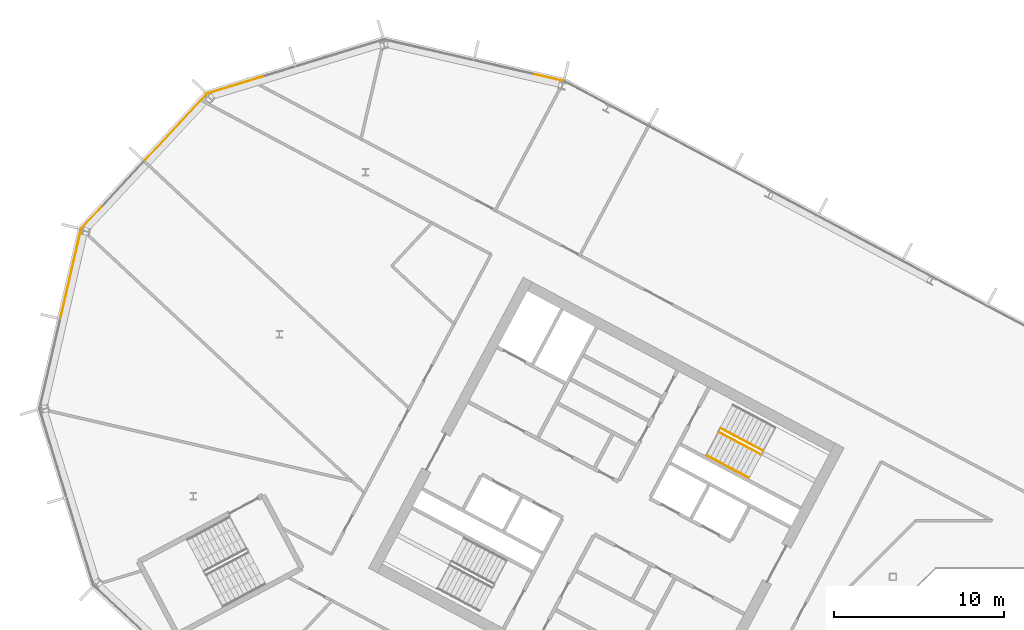
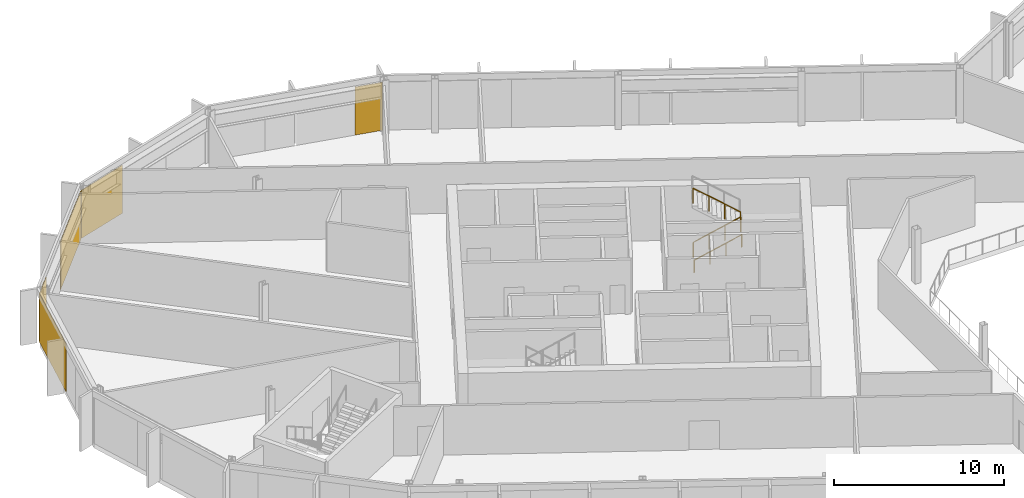
# One storey, part 21 of 26: 5 coverings, 3 railings, 4 elements without a shape of their own.
"""IFC4 building model written with IfcOpenShell, lengths in metres."""

from ifc_helpers import new_model, si_unit, direction, frame, origin, origin_2d, place, context, subcontext, project, spatial, polyline, rectangle, outline, extrude, material, layer, layer_set, type_object, element, aggregate, save


model = new_model("IFC4")

# Units and contexts
model_context = context("Model", 3, precision=1e-05, world=origin(), true_north=direction((0.0, 1.0)))
body_context = subcontext(model_context, "Body", "Model", "MODEL_VIEW")
ifc_project = project(units=[si_unit("LENGTHUNIT", "METRE"), si_unit("AREAUNIT", "SQUARE_METRE"), si_unit("VOLUMEUNIT", "CUBIC_METRE"), si_unit("PLANEANGLEUNIT", "RADIAN"), si_unit("MASSUNIT", "GRAM", prefix="KILO")], contexts=[model_context])

# Site, building, storey
site_placement = place(None, origin())
site = spatial("IfcSite", under=ifc_project, at=site_placement, CompositionType="ELEMENT")
building_placement = place(site_placement, origin())
building = spatial("IfcBuilding", under=site, at=building_placement, Name="Cormorant Relay Tower", CompositionType="ELEMENT")
storey_placement = place(building_placement, frame((0.0, 0.0, 197.39990234375)))
storey = spatial("IfcBuildingStorey", under=building, at=storey_placement, Name="L42", CompositionType="ELEMENT", Elevation=197.39990234375)

# Curtain wall, covering
ifc_material_1 = material(Name="Aluminium 6063-T6 anodised bronze", Category="aluminium")
ifc_layer_1 = layer(ifc_material_1, 0.199951171875)
ifc_layer_set_1 = layer_set([ifc_layer_1], Name="CW1 unitised bronze curtain wall with vertical fins")
curtain_wall_type = type_object("IfcCurtainWallType", Name="CW1 unitised bronze curtain wall with vertical fins", PredefinedType="NOTDEFINED", material=ifc_layer_set_1)
curtain_wall_1_placement = place(storey_placement, origin())
curtain_wall_1 = element("IfcCurtainWall", 1, at=curtain_wall_1_placement, inside=storey, type_object=curtain_wall_type, Name="CW1 curtain wall 10", PredefinedType="NOTDEFINED")
ifc_material_2 = material(Name="Pale bronze anodised aluminium insulated panel", Category="aluminium")
ifc_layer_2 = layer(ifc_material_2, 0.0400390625)
ifc_layer_set_2 = layer_set([ifc_layer_2], Name="CW1 pale bronze insulated panel 40")
covering_type = type_object("IfcCoveringType", Name="CW1 pale bronze insulated panel 40", PredefinedType="CLADDING", material=ifc_layer_set_2)
covering_1_placement = place(storey_placement, frame((-30.76318359375, 39.89404296875, 0.0), z_axis=(0.0, 0.0, 1.0), x_axis=(-0.974370064785, 0.224951054344, 0.0)))
covering_1 = element("IfcCovering", 2, at=covering_1_placement, type_object=covering_type, Name="CW1 panel S00", PredefinedType="CLADDING", context=body_context, shape_type="SweptSolid", body=[
    extrude(rectangle(XDim=1.685302734375, YDim=0.0400390625, at=origin_2d()), origin(), (0.0, 0.0, 1.0), 3.449951171875),
])
aggregate(curtain_wall_1, [covering_1])

curtain_wall_2_placement = place(storey_placement, origin())
curtain_wall_2 = element("IfcCurtainWall", 3, at=curtain_wall_2_placement, inside=storey, type_object=curtain_wall_type, Name="CW1 curtain wall 11", PredefinedType="NOTDEFINED")
covering_2_placement = place(storey_placement, frame((-49.16455078125, 39.474853515625, 0.0), z_axis=(0.0, 0.0, 1.0), x_axis=(-0.956304755963, -0.292371704723, 0.0)))
covering_2 = element("IfcCovering", 4, at=covering_2_placement, type_object=covering_type, Name="CW1 panel S03", PredefinedType="CLADDING", context=body_context, shape_type="SweptSolid", body=[
    extrude(rectangle(XDim=3.560302734375, YDim=0.0400390625, at=origin_2d()), origin(), (0.0, 0.0, 1.0), 3.449951171875),
])
aggregate(curtain_wall_2, [covering_2])

# Curtain wall, coverings
curtain_wall_3_placement = place(storey_placement, origin())
curtain_wall_3 = element("IfcCurtainWall", 5, at=curtain_wall_3_placement, inside=storey, type_object=curtain_wall_type, Name="CW1 curtain wall 12", PredefinedType="NOTDEFINED")
covering_3_placement = place(storey_placement, frame((-52.72900390625, 36.961181640625, 0.0), z_axis=(0.0, 0.0, 1.0), x_axis=(-0.681998360062, -0.731353701619, 0.0)))
covering_3 = element("IfcCovering", 6, at=covering_3_placement, type_object=covering_type, Name="CW1 panel S00", PredefinedType="CLADDING", context=body_context, shape_type="SweptSolid", body=[
    extrude(rectangle(XDim=5.28515625, YDim=0.0400390625, at=origin_2d()), origin(), (0.0, 0.0, 1.0), 3.449951171875),
])
covering_4_placement = place(storey_placement, frame((-57.68896484375, 31.642333984375, 0.0), z_axis=(0.0, 0.0, 1.0), x_axis=(-0.681998360062, -0.731353701619, 0.0)))
covering_4 = element("IfcCovering", 7, at=covering_4_placement, type_object=covering_type, Name="CW1 panel S02", PredefinedType="CLADDING", context=body_context, shape_type="SweptSolid", body=[
    extrude(rectangle(XDim=1.76025390625, YDim=0.0400390625, at=origin_2d()), origin(), (0.0, 0.0, 1.0), 3.449951171875),
])
aggregate(curtain_wall_3, [covering_3, covering_4])

# Curtain wall, covering
curtain_wall_4_placement = place(storey_placement, origin())
curtain_wall_4 = element("IfcCurtainWall", 8, at=curtain_wall_4_placement, inside=storey, type_object=curtain_wall_type, Name="CW1 curtain wall 13", PredefinedType="NOTDEFINED")
covering_5_placement = place(storey_placement, frame((-58.905517578125, 28.341796875, 0.0), z_axis=(0.0, 0.0, 1.0), x_axis=(-0.224951054344, -0.974370064785, 0.0)))
covering_5 = element("IfcCovering", 9, at=covering_5_placement, type_object=covering_type, Name="CW1 panel S00", PredefinedType="CLADDING", context=body_context, shape_type="SweptSolid", body=[
    extrude(rectangle(XDim=5.28515625, YDim=0.0400390625, at=origin_2d()), origin(), (0.0, 0.0, 1.0), 3.449951171875),
])
aggregate(curtain_wall_4, [covering_5])

# Railings
ifc_material_3 = material(Name="Steel ASTM A572 Grade 50 (Fy 345 MPa)", Category="steel")
railing_type_1 = type_object("IfcRailingType", Name="Stair guard 1100", PredefinedType="GUARDRAIL", material=ifc_material_3)
railing_1_placement = place(storey_placement, frame((-20.75048828125, 19.017822265625, 0.177490234375)))
element("IfcRailing", 10, at=railing_1_placement, inside=storey, type_object=railing_type_1, Name="L42 A1 stair guard 1", PredefinedType="GUARDRAIL", context=body_context, shape_type="SweptSolid", body=[
    extrude(outline(polyline([(0.022216796875, 0.00927734375), (0.00927734375, 0.022216796875), (-0.00927734375, 0.022216796875), (-0.022216796875, 0.00927734375), (-0.022216796875, -0.00927734375), (-0.00927734375, -0.022216796875), (0.00927734375, -0.022216796875), (0.022216796875, -0.00927734375), (0.022216796875, 0.00927734375)])), frame((0.0, 0.0, 1.076171875), z_axis=(0.746001213114, -0.396649272309, 0.534931345884), x_axis=(0.469465464807, 0.882950835185, 0.0)), (0.0, 0.0, 1.0), 3.31396484375),
    extrude(outline(polyline([(0.019287109375, 0.008056640625), (0.008056640625, 0.019287109375), (-0.008056640625, 0.019287109375), (-0.019287109375, 0.008056640625), (-0.019287109375, -0.008056640625), (-0.008056640625, -0.019287109375), (0.008056640625, -0.019287109375), (0.019287109375, -0.008056640625), (0.019287109375, 0.008056640625)])), origin(), (0.0, 0.0, 1.0), 1.052001953125),
    extrude(outline(polyline([(0.019287109375, 0.008056640625), (0.008056640625, 0.019287109375), (-0.008056640625, 0.019287109375), (-0.019287109375, 0.008056640625), (-0.019287109375, -0.008056640625), (-0.008056640625, -0.019287109375), (0.008056640625, -0.019287109375), (0.019287109375, -0.008056640625), (0.019287109375, 0.008056640625)])), frame((0.823974609375, -0.438232421875, 0.5908203125)), (0.0, 0.0, 1.0), 1.052001953125),
    extrude(outline(polyline([(0.019287109375, 0.008056640625), (0.008056640625, 0.019287109375), (-0.008056640625, 0.019287109375), (-0.019287109375, 0.008056640625), (-0.019287109375, -0.008056640625), (-0.008056640625, -0.019287109375), (0.008056640625, -0.019287109375), (0.019287109375, -0.008056640625), (0.019287109375, 0.008056640625)])), frame((1.648193359375, -0.876220703125, 1.181884765625)), (0.0, 0.0, 1.0), 1.052001953125),
    extrude(outline(polyline([(0.019287109375, 0.008056640625), (0.008056640625, 0.019287109375), (-0.008056640625, 0.019287109375), (-0.019287109375, 0.008056640625), (-0.019287109375, -0.008056640625), (-0.008056640625, -0.019287109375), (0.008056640625, -0.019287109375), (0.019287109375, -0.008056640625), (0.019287109375, 0.008056640625)])), frame((2.47216796875, -1.314453125, 1.772705078125)), (0.0, 0.0, 1.0), 1.052001953125),
])
railing_2_placement = place(storey_placement, frame((-18.160888671875, 17.924072265625, 2.12744140625)))
element("IfcRailing", 11, at=railing_2_placement, inside=storey, type_object=railing_type_1, Name="L42 A1 stair guard 3", PredefinedType="GUARDRAIL", context=body_context, shape_type="SweptSolid", body=[
    extrude(outline(polyline([(0.022216796875, 0.00927734375), (0.00927734375, 0.022216796875), (-0.00927734375, 0.022216796875), (-0.022216796875, 0.00927734375), (-0.022216796875, -0.00927734375), (-0.00927734375, -0.022216796875), (0.00927734375, -0.022216796875), (0.022216796875, -0.00927734375), (0.022216796875, 0.00927734375)])), frame((0.0, 0.0, 1.076171875), z_axis=(-0.746033882577, 0.396627473466, 0.534901947407), x_axis=(-0.469429322983, -0.882970050864, 0.0)), (0.0, 0.0, 1.0), 3.31396484375),
    extrude(outline(polyline([(0.019287109375, 0.008056640625), (0.008056640625, 0.019287109375), (-0.008056640625, 0.019287109375), (-0.019287109375, 0.008056640625), (-0.019287109375, -0.008056640625), (-0.008056640625, -0.019287109375), (0.008056640625, -0.019287109375), (0.019287109375, -0.008056640625), (0.019287109375, 0.008056640625)])), origin(), (0.0, 0.0, 1.0), 1.052001953125),
    extrude(outline(polyline([(0.019287109375, 0.008056640625), (0.008056640625, 0.019287109375), (-0.008056640625, 0.019287109375), (-0.019287109375, 0.008056640625), (-0.019287109375, -0.008056640625), (-0.008056640625, -0.019287109375), (0.008056640625, -0.019287109375), (0.019287109375, -0.008056640625), (0.019287109375, 0.008056640625)])), frame((-0.82421875, 0.438232421875, 0.5908203125)), (0.0, 0.0, 1.0), 1.052001953125),
    extrude(outline(polyline([(0.019287109375, 0.008056640625), (0.008056640625, 0.019287109375), (-0.008056640625, 0.019287109375), (-0.019287109375, 0.008056640625), (-0.019287109375, -0.008056640625), (-0.008056640625, -0.019287109375), (0.008056640625, -0.019287109375), (0.019287109375, -0.008056640625), (0.019287109375, 0.008056640625)])), frame((-1.648193359375, 0.876220703125, 1.181884765625)), (0.0, 0.0, 1.0), 1.052001953125),
    extrude(outline(polyline([(0.019287109375, 0.008056640625), (0.008056640625, 0.019287109375), (-0.008056640625, 0.019287109375), (-0.019287109375, 0.008056640625), (-0.019287109375, -0.008056640625), (-0.008056640625, -0.019287109375), (0.008056640625, -0.019287109375), (0.019287109375, -0.008056640625), (0.019287109375, 0.008056640625)])), frame((-2.472412109375, 1.314453125, 1.772705078125)), (0.0, 0.0, 1.0), 1.052001953125),
])
ifc_material_4 = material(Name="Steel ASTM A572 Grade 50 (Fy 345 MPa)", Category="steel")
railing_type_2 = type_object("IfcRailingType", Name="Stair handrail 900", PredefinedType="HANDRAIL", material=ifc_material_4)
railing_3_placement = place(storey_placement, frame((-21.478271484375, 17.6494140625, 0.177490234375)))
element("IfcRailing", 12, at=railing_3_placement, inside=storey, type_object=railing_type_2, Name="L42 A1 stair handrail 1", PredefinedType="HANDRAIL", context=body_context, shape_type="SweptSolid", body=[
    extrude(outline(polyline([(0.022216796875, 0.00927734375), (0.00927734375, 0.022216796875), (-0.00927734375, 0.022216796875), (-0.022216796875, 0.00927734375), (-0.022216796875, -0.00927734375), (-0.00927734375, -0.022216796875), (0.00927734375, -0.022216796875), (0.022216796875, -0.00927734375), (0.022216796875, 0.00927734375)])), frame((0.0, 0.0, 0.8759765625), z_axis=(0.746012083385, -0.396689549623, 0.534886317514), x_axis=(0.469497295046, 0.882933910293, 0.0)), (0.0, 0.0, 1.0), 3.314208984375),
    extrude(outline(polyline([(0.019287109375, 0.008056640625), (0.008056640625, 0.019287109375), (-0.008056640625, 0.019287109375), (-0.019287109375, 0.008056640625), (-0.019287109375, -0.008056640625), (-0.008056640625, -0.019287109375), (0.008056640625, -0.019287109375), (0.019287109375, -0.008056640625), (0.019287109375, 0.008056640625)])), origin(), (0.0, 0.0, 1.0), 0.851806640625),
    extrude(outline(polyline([(0.019287109375, 0.008056640625), (0.008056640625, 0.019287109375), (-0.008056640625, 0.019287109375), (-0.019287109375, 0.008056640625), (-0.019287109375, -0.008056640625), (-0.008056640625, -0.019287109375), (0.008056640625, -0.019287109375), (0.019287109375, -0.008056640625), (0.019287109375, 0.008056640625)])), frame((0.82421875, -0.438232421875, 0.5908203125)), (0.0, 0.0, 1.0), 0.851806640625),
    extrude(outline(polyline([(0.019287109375, 0.008056640625), (0.008056640625, 0.019287109375), (-0.008056640625, 0.019287109375), (-0.019287109375, 0.008056640625), (-0.019287109375, -0.008056640625), (-0.008056640625, -0.019287109375), (0.008056640625, -0.019287109375), (0.019287109375, -0.008056640625), (0.019287109375, 0.008056640625)])), frame((1.648193359375, -0.87646484375, 1.181884765625)), (0.0, 0.0, 1.0), 0.851806640625),
    extrude(outline(polyline([(0.019287109375, 0.008056640625), (0.008056640625, 0.019287109375), (-0.008056640625, 0.019287109375), (-0.019287109375, 0.008056640625), (-0.019287109375, -0.008056640625), (-0.008056640625, -0.019287109375), (0.008056640625, -0.019287109375), (0.019287109375, -0.008056640625), (0.019287109375, 0.008056640625)])), frame((2.472412109375, -1.314697265625, 1.772705078125)), (0.0, 0.0, 1.0), 0.851806640625),
])

save(model, "model.ifc")
